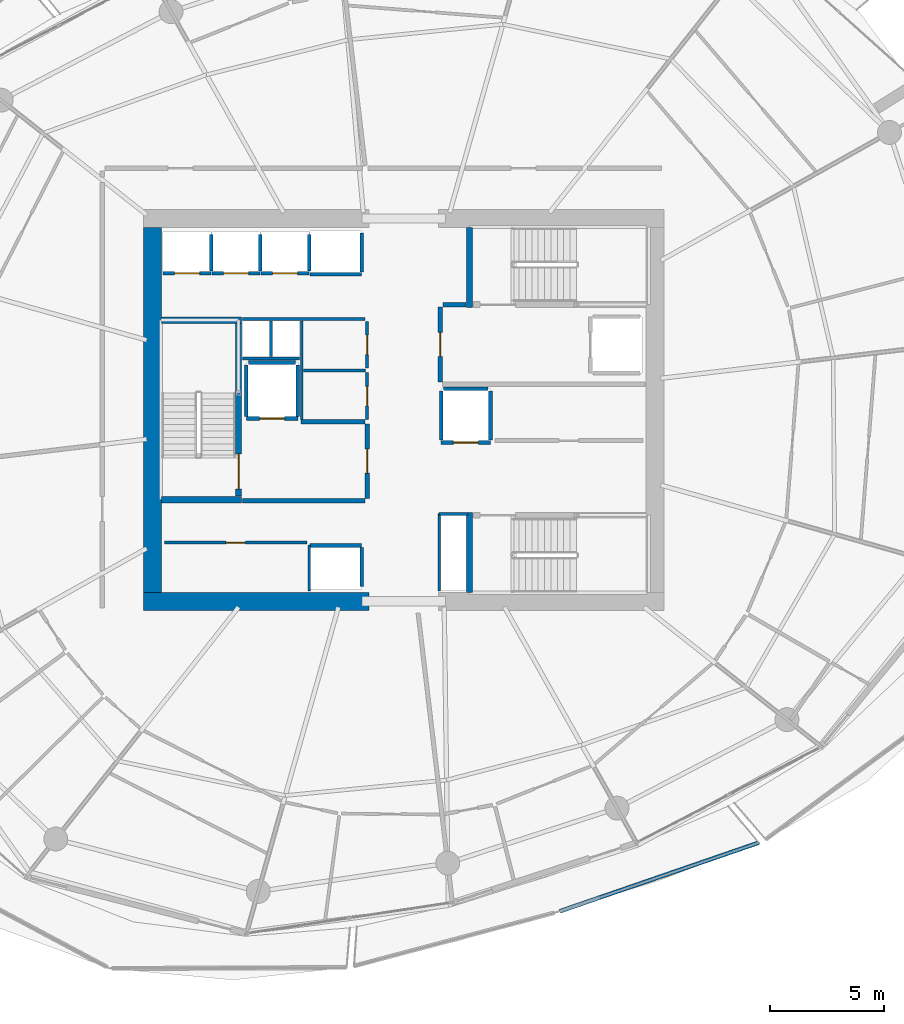
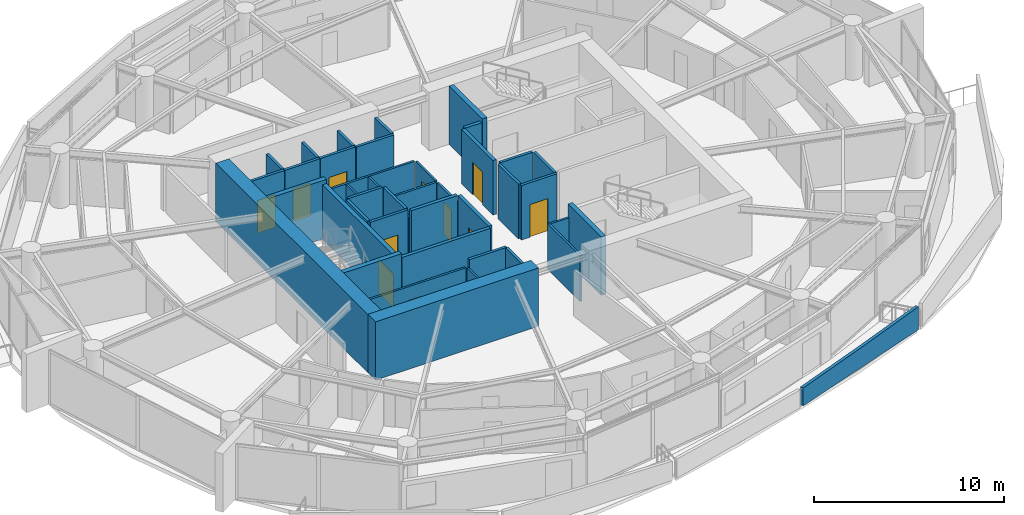
# One storey, part 12 of 20: 42 walls, 11 doors, 11 openings.
"""IFC4 building model written with IfcOpenShell, lengths in metres."""

import ifcopenshell
import ifcopenshell.guid

model = None  # the IFC model being written
_history = None  # IfcOwnerHistory: only IFC2X3 demands one
_inside = {}  # id of a spatial element -> (the spatial element, [elements in it])
_under = {}  # id of a project, library or spatial element -> (it, [spatial elements below it])
_declared = {}  # id of a project -> (the project, [libraries it declares])
_typed = {}  # id of a type object -> (the type object, [elements of that type])
_made_of = {}  # id of a material, layer set ... -> (it, [elements and type objects made of it])


def new_model(schema):
    """Start an empty IFC model of exactly this schema.

    Asked for "IFC4X3", IfcOpenShell would pick the latest addendum, in which some entities
    have other attributes; the version numbers below select the first issue.
    IFC2X3 requires an IfcOwnerHistory on every rooted entity: one is made here for all.
    """
    global model, _history
    if schema == "IFC4X3":
        model = ifcopenshell.file(schema_version=(4, 3, 0, 0))
    else:
        model = ifcopenshell.file(schema=schema)
    _inside.clear()
    _under.clear()
    _declared.clear()
    _typed.clear()
    _made_of.clear()
    _history = None
    if model.schema == "IFC2X3":
        org = make("IfcOrganization", Name="unknown")
        user = make(
            "IfcPersonAndOrganization",
            ThePerson=make("IfcPerson", FamilyName="unknown"),
            TheOrganization=org,
        )
        app = make(
            "IfcApplication",
            ApplicationDeveloper=org,
            Version="unknown",
            ApplicationFullName="unknown",
            ApplicationIdentifier="unknown",
        )
        _history = make(
            "IfcOwnerHistory",
            OwningUser=user,
            OwningApplication=app,
            ChangeAction="ADDED",
            CreationDate=0,
        )
    return model


def make(cls, **values):
    """One entity of the class cls with the attributes given. An attribute that is None is left unset."""
    return model.create_entity(
        cls, **{name: value for name, value in values.items() if value is not None}
    )


def rooted(cls, **values):
    """An entity with a GlobalId (a new one), such as an element, a storey or a relation."""
    return make(cls, GlobalId=ifcopenshell.guid.new(), OwnerHistory=_history, **values)


def si_unit(unit_type, name, prefix=None):
    """IfcSIUnit, for example si_unit("LENGTHUNIT", "METRE", prefix="MILLI")."""
    return make("IfcSIUnit", UnitType=unit_type, Prefix=prefix, Name=name)


def assignment(units):
    """IfcUnitAssignment: the units of a project."""
    return None if units is None else make("IfcUnitAssignment", Units=units)


def point(xyz):
    """IfcCartesianPoint."""
    return None if xyz is None else make("IfcCartesianPoint", Coordinates=xyz)


def direction(xyz):
    """IfcDirection."""
    return None if xyz is None else make("IfcDirection", DirectionRatios=xyz)


def frame(location, z_axis=None, x_axis=None):
    """IfcAxis2Placement3D, a coordinate frame: its origin and axes. An axis left out is left unset."""
    return make(
        "IfcAxis2Placement3D",
        Location=point(location),
        Axis=direction(z_axis),
        RefDirection=direction(x_axis),
    )


def frame_2d(location, x_axis=None):
    """IfcAxis2Placement2D, a coordinate frame in the plane: its origin and x axis."""
    return make(
        "IfcAxis2Placement2D", Location=point(location), RefDirection=direction(x_axis)
    )


def origin():
    """The frame at (0, 0, 0) with its axes left unset."""
    return frame((0.0, 0.0, 0.0))


def place(relative_to, where):
    """IfcLocalPlacement: puts the frame where relative to a parent placement (None: the world)."""
    return make(
        "IfcLocalPlacement", PlacementRelTo=relative_to, RelativePlacement=where
    )


def context(
    kind, dimensions, precision=None, world=None, true_north=None, identifier=None
):
    """IfcGeometricRepresentationContext, for example the 3D "Model" context."""
    return make(
        "IfcGeometricRepresentationContext",
        ContextIdentifier=identifier,
        ContextType=kind,
        CoordinateSpaceDimension=dimensions,
        Precision=precision,
        WorldCoordinateSystem=world,
        TrueNorth=true_north,
    )


def subcontext(parent, identifier, kind, view, scale=None):
    """IfcGeometricRepresentationSubContext, for example "Body" below "Model"."""
    return make(
        "IfcGeometricRepresentationSubContext",
        ContextIdentifier=identifier,
        ContextType=kind,
        ParentContext=parent,
        TargetScale=scale,
        TargetView=view,
    )


def project(units=None, contexts=None):
    """IfcProject with its units and contexts."""
    return rooted(
        "IfcProject",
        Name="project",
        RepresentationContexts=contexts,
        UnitsInContext=assignment(units),
    )


def spatial(cls, under=None, at=None, **own):
    """A site, building, storey or space (cls), placed at a placement, below another one or the project."""
    s = rooted(cls, ObjectPlacement=at, **own)
    if under is not None:
        _under.setdefault(under.id(), (under, []))[1].append(s)
    return s


def polyline(points):
    """IfcPolyline through the points."""
    return make("IfcPolyline", Points=[point(p) for p in points])


def profile(cls, at=None, kind="AREA", **sizes):
    """A parametric profile (cls). Its sizes go by their IFC names, for example OverallWidth=200.0."""
    return make(cls, ProfileType=kind, Position=at, **sizes)


def rectangle(**sizes):
    """IfcRectangleProfileDef."""
    return profile("IfcRectangleProfileDef", **sizes)


def outline(outer, holes=None, kind="AREA"):
    """IfcArbitraryClosedProfileDef: a profile drawn as a closed curve; with holes, ...WithVoids."""
    if holes is None:
        return make("IfcArbitraryClosedProfileDef", ProfileType=kind, OuterCurve=outer)
    return make(
        "IfcArbitraryProfileDefWithVoids",
        ProfileType=kind,
        OuterCurve=outer,
        InnerCurves=holes,
    )


def extrude(swept, where, along, depth):
    """IfcExtrudedAreaSolid: the profile swept, set in the frame where, extruded along a direction by depth."""
    return make(
        "IfcExtrudedAreaSolid",
        SweptArea=swept,
        Position=where,
        ExtrudedDirection=direction(along),
        Depth=depth,
    )


def shape(context_of_items, identifier, shape_type, items):
    """IfcShapeRepresentation: the items that make up one representation, for example the "Body"."""
    return make(
        "IfcShapeRepresentation",
        ContextOfItems=context_of_items,
        RepresentationIdentifier=identifier,
        RepresentationType=shape_type,
        Items=items,
    )


def material(Name=None, Category=None):
    """IfcMaterial."""
    return make("IfcMaterial", Name=Name, Category=Category)


def layer(
    of_material, thickness, ventilated=None, Name=None, Category=None, Priority=None
):
    """IfcMaterialLayer: one layer of a wall or slab, of a material (None: an air gap)."""
    return make(
        "IfcMaterialLayer",
        Material=of_material,
        LayerThickness=thickness,
        IsVentilated=ventilated,
        Name=Name,
        Category=Category,
        Priority=Priority,
    )


def layer_set(layers, Name=None):
    """IfcMaterialLayerSet."""
    return make("IfcMaterialLayerSet", MaterialLayers=layers, LayerSetName=Name)


def made_of(thing, what):
    """Note that an element or type object is made of a material, layer set ...; save() writes the relation."""
    if what is not None:
        _made_of.setdefault(what.id(), (what, []))[1].append(thing)
    return thing


def type_object(cls, material=None, **own):
    """A type object (cls), such as IfcWallType, which elements share."""
    return made_of(rooted(cls, **own), material)


def element(
    cls,
    number,
    at=None,
    inside=None,
    cuts=None,
    type_object=None,
    material=None,
    context=None,
    identifier="Body",
    shape_type=None,
    held_by="IfcProductDefinitionShape",
    body=None,
    shapes=None,
    **own,
):
    """One element of the class cls, such as IfcWall. Its Tag is "e" and its number.

    at: its placement. inside: the storey or other place that contains it. cuts: it is an
    opening in that element (IfcRelVoidsElement). A single representation is given by context,
    identifier, shape_type and body (its items); several are given by shapes. held_by: the class
    of the entity that holds the representations. save() writes the other relations.
    """
    e = rooted(cls, Tag="e%d" % number, ObjectPlacement=at, **own)
    if body is not None:
        shapes = [shape(context, identifier, shape_type, body)]
    if shapes is not None:
        e.Representation = make(held_by, Representations=shapes)
    if inside is not None:
        _inside.setdefault(inside.id(), (inside, []))[1].append(e)
    if cuts is not None:
        rooted(
            "IfcRelVoidsElement", RelatingBuildingElement=cuts, RelatedOpeningElement=e
        )
    if type_object is not None:
        _typed.setdefault(type_object.id(), (type_object, []))[1].append(e)
    return made_of(e, material)


def fill(opening, filler):
    """IfcRelFillsElement: the door or window that sits in an opening."""
    return rooted(
        "IfcRelFillsElement",
        RelatingOpeningElement=opening,
        RelatedBuildingElement=filler,
    )


def aggregate(whole, parts):
    """IfcRelAggregates: a whole, such as a stair, and the parts it consists of."""
    return rooted("IfcRelAggregates", RelatingObject=whole, RelatedObjects=parts)


def save(model, path):
    """Write the relations noted so far, then the file.

    IfcRelAggregates (storeys below a building ...), IfcRelContainedInSpatialStructure (elements
    in a storey), IfcRelDefinesByType, IfcRelAssociatesMaterial and IfcRelDeclares: one each for
    every whole, place, type object, material and project.
    """
    for whole, parts in _under.values():
        aggregate(whole, parts)
    for where, things in _inside.values():
        rooted(
            "IfcRelContainedInSpatialStructure",
            RelatedElements=things,
            RelatingStructure=where,
        )
    for kind, things in _typed.values():
        rooted("IfcRelDefinesByType", RelatedObjects=things, RelatingType=kind)
    for what, things in _made_of.values():
        rooted("IfcRelAssociatesMaterial", RelatedObjects=things, RelatingMaterial=what)
    for by, libraries in _declared.values():
        rooted("IfcRelDeclares", RelatingContext=by, RelatedDefinitions=libraries)
    model.write(path)


model = new_model("IFC4")

# Units and contexts
model_context = context("Model", 3, precision=1e-05, world=origin(), true_north=direction((0.0, 1.0)))
body_context = subcontext(model_context, "Body", "Model", "MODEL_VIEW")
ifc_project = project(units=[si_unit("LENGTHUNIT", "METRE"), si_unit("AREAUNIT", "SQUARE_METRE"), si_unit("VOLUMEUNIT", "CUBIC_METRE"), si_unit("PLANEANGLEUNIT", "RADIAN"), si_unit("MASSUNIT", "GRAM", prefix="KILO")], contexts=[model_context])

# Site, building, storey
site_placement = place(None, origin())
site = spatial("IfcSite", under=ifc_project, at=site_placement, CompositionType="ELEMENT")
building_placement = place(site_placement, origin())
building = spatial("IfcBuilding", under=site, at=building_placement, Name="Kazma Halo Residences", CompositionType="ELEMENT")
storey_placement = place(building_placement, frame((0.0, 0.0, 154.050048828125)))
storey = spatial("IfcBuildingStorey", under=building, at=storey_placement, Name="L38", CompositionType="ELEMENT", Elevation=154.050048828125)

# Walls
ifc_material_1 = material(Name="White Concrete C50/60 Balustrade", Category="concrete")
ifc_layer_1 = layer(ifc_material_1, 0.179931640625)
ifc_layer_set_1 = layer_set([ifc_layer_1], Name="White Concrete C50/60 Balustrade")
wall_type_1 = type_object("IfcWallType", Name="WL-BAL-WAVE-180", PredefinedType="PARAPET", material=ifc_layer_set_1)
wall_1_placement = place(storey_placement, frame((55.2724609375, 20.005859375, 0.0), z_axis=(0.0, 0.0, 1.0), x_axis=(0.945395712623, 0.325924755971, 0.0)))
element("IfcWall", 1, at=wall_1_placement, inside=storey, type_object=wall_type_1, Name="L38 white wave balustrade wall SSE.2", PredefinedType="PARAPET", context=body_context, shape_type="SweptSolid", body=[
    extrude(outline(polyline([(0.0, 0.0), (9.244384765625, 0.0), (9.244384765625, 1.48291015625), (4.622314453125, 1.283935546875), (0.0, 1.14794921875), (0.0, 0.0)])), frame((0.0, 0.08984375, 0.0), z_axis=(0.0, -1.0, 0.0), x_axis=(1.0, 0.0, 0.0)), (0.0, 0.0, 1.0), 0.179931640625),
])
ifc_material_2 = material(Name="Concrete C80/95", Category="concrete")
ifc_layer_2 = layer(ifc_material_2, 0.800048828125)
ifc_layer_set_2 = layer_set([ifc_layer_2], Name="Concrete C80/95")
wall_type_2 = type_object("IfcWallType", Name="WL-CORE-800", PredefinedType="SHEAR", material=ifc_layer_set_2)
wall_2_placement = place(storey_placement, frame((37.0, 33.60009765625, 0.0), z_axis=(0.0, 0.0, 1.0), x_axis=(1.0, 0.0, 0.0)))
element("IfcWall", 2, at=wall_2_placement, inside=storey, type_object=wall_type_2, Name="L38 central core shear wall SW", PredefinedType="SHEAR", context=body_context, shape_type="SweptSolid", body=[
    extrude(rectangle(XDim=9.89990234375, YDim=0.800048828125, at=frame_2d((4.949951171875, 0.0))), origin(), (0.0, 0.0, 1.0), 3.75),
])
wall_3_placement = place(storey_placement, frame((37.39990234375, 34.0, 0.0), z_axis=(0.0, 0.0, 1.0), x_axis=(0.0, 1.0, 0.0)))
element("IfcWall", 3, at=wall_3_placement, inside=storey, type_object=wall_type_2, Name="L38 central core shear wall W", PredefinedType="SHEAR", context=body_context, shape_type="SweptSolid", body=[
    extrude(rectangle(XDim=16.0, YDim=0.800048828125, at=frame_2d((8.0, 0.0))), origin(), (0.0, 0.0, 1.0), 3.75),
])
ifc_material_3 = material(Name="Concrete C60/75", Category="concrete")
ifc_layer_3 = layer(ifc_material_3, 0.280029296875)
ifc_layer_set_3 = layer_set([ifc_layer_3], Name="Concrete C60/75")
wall_type_3 = type_object("IfcWallType", Name="WL-CORE-ST-280", PredefinedType="SHEAR", material=ifc_layer_set_3)
for number, where, z_axis, x_axis, name in (
    (4, (37.800048828125, 38.06005859375, 0.0), (0.0, 0.0, 1.0), (1.0, 0.0, 0.0), "L38 stairwell bearing wall ST01-S"),
    (5, (37.800048828125, 45.93994140625, 0.0), (0.0, 0.0, 1.0), (1.0, 0.0, 0.0), "L38 stairwell bearing wall ST01-N"),
    (6, (51.31005859375, 46.5, 0.0), (0.0, 0.0, 1.0), (0.0, 1.0, 0.0), "L38 stairwell bearing wall ST02-W"),
    (7, (51.31005859375, 34.0, 0.0), (0.0, 0.0, 1.0), (0.0, 1.0, 0.0), "L38 stairwell bearing wall ST03-W"),
):
    element("IfcWall", number, at=place(storey_placement, frame(where, z_axis=z_axis, x_axis=x_axis)), inside=storey, type_object=wall_type_3, Name=name, PredefinedType="SHEAR", context=body_context, shape_type="SweptSolid", body=[
        extrude(rectangle(XDim=3.5, YDim=0.280029296875, at=frame_2d((1.75, 0.0))), origin(), (0.0, 0.0, 1.0), 3.75),
    ])

# Wall, opening, door
ifc_material_4 = material(Name="Fire-Rated Blockwork Masonry", Category="masonry")
ifc_layer_4 = layer(ifc_material_4, 0.199951171875)
ifc_layer_set_4 = layer_set([ifc_layer_4], Name="Fire-Rated Blockwork Masonry")
wall_type_4 = type_object("IfcWallType", Name="WL-FLB-200", PredefinedType="PARTITIONING", material=ifc_layer_set_4)
wall_4_placement = place(storey_placement, frame((39.97509765625, 47.9951171875, 0.0), z_axis=(0.0, 0.0, 1.0), x_axis=(-1.0, 0.0, 0.0)))
wall_4 = element("IfcWall", 8, at=wall_4_placement, inside=storey, type_object=wall_type_4, Name="L38 lift shaft PM-01 front wall", PredefinedType="PARTITIONING", context=body_context, shape_type="SweptSolid", body=[
    extrude(rectangle(XDim=2.110107421875, YDim=0.159912109375, at=frame_2d((1.05517578125, 0.0))), origin(), (0.0, 0.0, 1.0), 3.5),
])
opening_1_placement = place(wall_4_placement, frame((0.5048828125, 0.0, 0.0)))
opening_1 = element("IfcOpeningElement", 9, at=opening_1_placement, cuts=wall_4, Name="Opening LD-PM-01", PredefinedType="OPENING", context=body_context, shape_type="SweptSolid", body=[
    extrude(rectangle(XDim=1.10009765625, YDim=2.10009765625, at=frame_2d((0.550048828125, 1.050048828125))), frame((0.0, 0.08984375, 0.0), z_axis=(0.0, -1.0, 0.0), x_axis=(1.0, 0.0, 0.0)), (0.0, 0.0, 1.0), 0.179931640625),
])
ifc_material_5 = material(Name="Stainless Steel Fire-Rated", Category="steel")
door_type_1 = type_object("IfcDoorType", Name="DR-LIFT-SLD-1100", OperationType="DOUBLE_DOOR_SLIDING", PredefinedType="DOOR", material=ifc_material_5)
door_1_placement = place(opening_1_placement, origin())
door_1 = element("IfcDoor", 10, at=door_1_placement, inside=storey, type_object=door_type_1, Name="L38 lift PM-01 sliding landing door", OperationType="DOUBLE_DOOR_SLIDING", OverallHeight=2.10009765625, OverallWidth=1.10009765625, PredefinedType="DOOR", context=body_context, shape_type="SweptSolid", body=[
    extrude(rectangle(XDim=1.10009765625, YDim=2.10009765625, at=frame_2d((0.550048828125, 1.050048828125))), frame((0.0, 0.02490234375, 0.0), z_axis=(0.0, -1.0, 0.0), x_axis=(1.0, 0.0, 0.0)), (0.0, 0.0, 1.0), 0.050048828125),
])
fill(opening_1, door_1)

# Wall
wall_5_placement = place(storey_placement, frame((39.97509765625, 48.094970703125, 0.0), z_axis=(0.0, 0.0, 1.0), x_axis=(0.0, 1.0, 0.0)))
element("IfcWall", 11, at=wall_5_placement, inside=storey, type_object=wall_type_4, Name="L38 lift shaft PM-01 side wall E", PredefinedType="PARTITIONING", context=body_context, shape_type="SweptSolid", body=[
    extrude(rectangle(XDim=1.610107421875, YDim=0.159912109375, at=frame_2d((0.80517578125, 0.0))), origin(), (0.0, 0.0, 1.0), 3.5),
])

# Wall, opening, door
wall_6_placement = place(storey_placement, frame((42.125, 47.9951171875, 0.0), z_axis=(0.0, 0.0, 1.0), x_axis=(-1.0, 0.0, 0.0)))
wall_6 = element("IfcWall", 12, at=wall_6_placement, inside=storey, type_object=wall_type_4, Name="L38 lift shaft PM-02 front wall", PredefinedType="PARTITIONING", context=body_context, shape_type="SweptSolid", body=[
    extrude(rectangle(XDim=2.110107421875, YDim=0.159912109375, at=frame_2d((1.05517578125, 0.0))), origin(), (0.0, 0.0, 1.0), 3.5),
])
opening_2_placement = place(wall_6_placement, frame((0.5048828125, 0.0, 0.0)))
opening_2 = element("IfcOpeningElement", 13, at=opening_2_placement, cuts=wall_6, Name="Opening LD-PM-02", PredefinedType="OPENING", context=body_context, shape_type="SweptSolid", body=[
    extrude(rectangle(XDim=1.10009765625, YDim=2.10009765625, at=frame_2d((0.550048828125, 1.050048828125))), frame((0.0, 0.08984375, 0.0), z_axis=(0.0, -1.0, 0.0), x_axis=(1.0, 0.0, 0.0)), (0.0, 0.0, 1.0), 0.179931640625),
])
door_2_placement = place(opening_2_placement, origin())
door_2 = element("IfcDoor", 14, at=door_2_placement, inside=storey, type_object=door_type_1, Name="L38 lift PM-02 sliding landing door", OperationType="DOUBLE_DOOR_SLIDING", OverallHeight=2.10009765625, OverallWidth=1.10009765625, PredefinedType="DOOR", context=body_context, shape_type="SweptSolid", body=[
    extrude(rectangle(XDim=1.10009765625, YDim=2.10009765625, at=frame_2d((0.550048828125, 1.050048828125))), frame((0.0, 0.02490234375, 0.0), z_axis=(0.0, -1.0, 0.0), x_axis=(1.0, 0.0, 0.0)), (0.0, 0.0, 1.0), 0.050048828125),
])
fill(opening_2, door_2)

# Wall
wall_7_placement = place(storey_placement, frame((42.125, 48.094970703125, 0.0), z_axis=(0.0, 0.0, 1.0), x_axis=(0.0, 1.0, 0.0)))
element("IfcWall", 15, at=wall_7_placement, inside=storey, type_object=wall_type_4, Name="L38 lift shaft PM-02 side wall E", PredefinedType="PARTITIONING", context=body_context, shape_type="SweptSolid", body=[
    extrude(rectangle(XDim=1.610107421875, YDim=0.159912109375, at=frame_2d((0.80517578125, 0.0))), origin(), (0.0, 0.0, 1.0), 3.5),
])

# Wall, opening, door
wall_8_placement = place(storey_placement, frame((44.27490234375, 47.9951171875, 0.0), z_axis=(0.0, 0.0, 1.0), x_axis=(-1.0, 0.0, 0.0)))
wall_8 = element("IfcWall", 16, at=wall_8_placement, inside=storey, type_object=wall_type_4, Name="L38 lift shaft PM-03 front wall", PredefinedType="PARTITIONING", context=body_context, shape_type="SweptSolid", body=[
    extrude(rectangle(XDim=2.10986328125, YDim=0.159912109375, at=frame_2d((1.054931640625, 0.0))), origin(), (0.0, 0.0, 1.0), 3.5),
])
opening_3_placement = place(wall_8_placement, frame((0.5048828125, 0.0, 0.0)))
opening_3 = element("IfcOpeningElement", 17, at=opening_3_placement, cuts=wall_8, Name="Opening LD-PM-03", PredefinedType="OPENING", context=body_context, shape_type="SweptSolid", body=[
    extrude(rectangle(XDim=1.10009765625, YDim=2.10009765625, at=frame_2d((0.550048828125, 1.050048828125))), frame((0.0, 0.08984375, 0.0), z_axis=(0.0, -1.0, 0.0), x_axis=(1.0, 0.0, 0.0)), (0.0, 0.0, 1.0), 0.179931640625),
])
door_3_placement = place(opening_3_placement, origin())
door_3 = element("IfcDoor", 18, at=door_3_placement, inside=storey, type_object=door_type_1, Name="L38 lift PM-03 sliding landing door", OperationType="DOUBLE_DOOR_SLIDING", OverallHeight=2.10009765625, OverallWidth=1.10009765625, PredefinedType="DOOR", context=body_context, shape_type="SweptSolid", body=[
    extrude(rectangle(XDim=1.10009765625, YDim=2.10009765625, at=frame_2d((0.550048828125, 1.050048828125))), frame((0.0, 0.02490234375, 0.0), z_axis=(0.0, -1.0, 0.0), x_axis=(1.0, 0.0, 0.0)), (0.0, 0.0, 1.0), 0.050048828125),
])
fill(opening_3, door_3)

# Walls
wall_9_placement = place(storey_placement, frame((44.27490234375, 48.094970703125, 0.0), z_axis=(0.0, 0.0, 1.0), x_axis=(0.0, 1.0, 0.0)))
element("IfcWall", 19, at=wall_9_placement, inside=storey, type_object=wall_type_4, Name="L38 lift shaft PM-03 side wall E", PredefinedType="PARTITIONING", context=body_context, shape_type="SweptSolid", body=[
    extrude(rectangle(XDim=1.610107421875, YDim=0.159912109375, at=frame_2d((0.80517578125, 0.0))), origin(), (0.0, 0.0, 1.0), 3.5),
])
wall_10_placement = place(storey_placement, frame((46.580078125, 47.945068359375, 0.0), z_axis=(0.0, 0.0, 1.0), x_axis=(-1.0, 0.0, 0.0)))
element("IfcWall", 20, at=wall_10_placement, inside=storey, type_object=wall_type_4, Name="L38 lift shaft PX-01 front wall", PredefinedType="PARTITIONING", context=body_context, shape_type="SweptSolid", body=[
    extrude(rectangle(XDim=2.260009765625, YDim=0.159912109375, at=frame_2d((1.1298828125, 0.0))), origin(), (0.0, 0.0, 1.0), 3.5),
])
wall_11_placement = place(storey_placement, frame((46.580078125, 48.044921875, 0.0), z_axis=(0.0, 0.0, 1.0), x_axis=(0.0, 1.0, 0.0)))
element("IfcWall", 21, at=wall_11_placement, inside=storey, type_object=wall_type_4, Name="L38 lift shaft PX-01 side wall E", PredefinedType="PARTITIONING", context=body_context, shape_type="SweptSolid", body=[
    extrude(rectangle(XDim=1.7099609375, YDim=0.159912109375, at=frame_2d((0.85498046875, 0.0))), origin(), (0.0, 0.0, 1.0), 3.5),
])
wall_12_placement = place(storey_placement, frame((44.320068359375, 36.054931640625, 0.0), z_axis=(0.0, 0.0, 1.0), x_axis=(1.0, 0.0, 0.0)))
element("IfcWall", 22, at=wall_12_placement, inside=storey, type_object=wall_type_4, Name="L38 lift shaft PX-02 front wall", PredefinedType="PARTITIONING", context=body_context, shape_type="SweptSolid", body=[
    extrude(rectangle(XDim=2.260009765625, YDim=0.159912109375, at=frame_2d((1.1298828125, 0.0))), origin(), (0.0, 0.0, 1.0), 3.5),
])
wall_13_placement = place(storey_placement, frame((46.580078125, 34.2451171875, 0.0), z_axis=(0.0, 0.0, 1.0), x_axis=(0.0, 1.0, 0.0)))
element("IfcWall", 23, at=wall_13_placement, inside=storey, type_object=wall_type_4, Name="L38 lift shaft PX-02 side wall E", PredefinedType="PARTITIONING", context=body_context, shape_type="SweptSolid", body=[
    extrude(rectangle(XDim=1.7099609375, YDim=0.159912109375, at=frame_2d((0.85498046875, 0.0))), origin(), (0.0, 0.0, 1.0), 3.5),
])

# Wall, opening, door
wall_14_placement = place(storey_placement, frame((43.780029296875, 41.6201171875, 0.0), z_axis=(0.0, 0.0, 1.0), x_axis=(-1.0, 0.0, 0.0)))
wall_14 = element("IfcWall", 24, at=wall_14_placement, inside=storey, type_object=wall_type_4, Name="L38 lift shaft FL-01 front wall", PredefinedType="PARTITIONING", context=body_context, shape_type="SweptSolid", body=[
    extrude(rectangle(XDim=2.260009765625, YDim=0.159912109375, at=frame_2d((1.1298828125, 0.0))), origin(), (0.0, 0.0, 1.0), 3.5),
])
opening_4_placement = place(wall_14_placement, frame((0.580078125, 0.0, 0.0)))
opening_4 = element("IfcOpeningElement", 25, at=opening_4_placement, cuts=wall_14, Name="Opening LD-FL-01", PredefinedType="OPENING", context=body_context, shape_type="SweptSolid", body=[
    extrude(rectangle(XDim=1.10009765625, YDim=2.10009765625, at=frame_2d((0.550048828125, 1.050048828125))), frame((0.0, 0.08984375, 0.0), z_axis=(0.0, -1.0, 0.0), x_axis=(1.0, 0.0, 0.0)), (0.0, 0.0, 1.0), 0.179931640625),
])
door_4_placement = place(opening_4_placement, origin())
door_4 = element("IfcDoor", 26, at=door_4_placement, inside=storey, type_object=door_type_1, Name="L38 lift FL-01 sliding landing door", OperationType="DOUBLE_DOOR_SLIDING", OverallHeight=2.10009765625, OverallWidth=1.10009765625, PredefinedType="DOOR", context=body_context, shape_type="SweptSolid", body=[
    extrude(rectangle(XDim=1.10009765625, YDim=2.10009765625, at=frame_2d((0.550048828125, 1.050048828125))), frame((0.0, 0.02490234375, 0.0), z_axis=(0.0, -1.0, 0.0), x_axis=(1.0, 0.0, 0.0)), (0.0, 0.0, 1.0), 0.050048828125),
])
fill(opening_4, door_4)

# Walls
for number, where, z_axis, x_axis, name in (
    (27, (43.780029296875, 41.719970703125, 0.0), (0.0, 0.0, 1.0), (0.0, 1.0, 0.0), "L38 lift shaft FL-01 side wall E"),
    (28, (41.52001953125, 41.719970703125, 0.0), (0.0, 0.0, 1.0), (0.0, 1.0, 0.0), "L38 lift shaft FL-01 side wall W"),
):
    element("IfcWall", number, at=place(storey_placement, frame(where, z_axis=z_axis, x_axis=x_axis)), inside=storey, type_object=wall_type_4, Name=name, PredefinedType="PARTITIONING", context=body_context, shape_type="SweptSolid", body=[
        extrude(rectangle(XDim=2.260009765625, YDim=0.159912109375, at=frame_2d((1.1298828125, 0.0))), origin(), (0.0, 0.0, 1.0), 3.5),
    ])
wall_15_placement = place(storey_placement, frame((41.6201171875, 44.080078125, 0.0), z_axis=(0.0, 0.0, 1.0), x_axis=(1.0, 0.0, 0.0)))
element("IfcWall", 29, at=wall_15_placement, inside=storey, type_object=wall_type_4, Name="L38 lift shaft FL-01 side wall N", PredefinedType="PARTITIONING", context=body_context, shape_type="SweptSolid", body=[
    extrude(rectangle(XDim=2.059814453125, YDim=0.159912109375, at=frame_2d((1.02978515625, 0.0))), origin(), (0.0, 0.0, 1.0), 3.5),
])

# Wall, opening, door
wall_16_placement = place(storey_placement, frame((52.22998046875, 40.570068359375, 0.0), z_axis=(0.0, 0.0, 1.0), x_axis=(-1.0, 0.0, 0.0)))
wall_16 = element("IfcWall", 30, at=wall_16_placement, inside=storey, type_object=wall_type_4, Name="L38 lift shaft SV-01 front wall", PredefinedType="PARTITIONING", context=body_context, shape_type="SweptSolid", body=[
    extrude(rectangle(XDim=2.159912109375, YDim=0.159912109375, at=frame_2d((1.080078125, 0.0))), origin(), (0.0, 0.0, 1.0), 3.5),
])
opening_5_placement = place(wall_16_placement, frame((0.530029296875, 0.0, 0.0)))
opening_5 = element("IfcOpeningElement", 31, at=opening_5_placement, cuts=wall_16, Name="Opening LD-SV-01", PredefinedType="OPENING", context=body_context, shape_type="SweptSolid", body=[
    extrude(rectangle(XDim=1.10009765625, YDim=2.10009765625, at=frame_2d((0.550048828125, 1.050048828125))), frame((0.0, 0.08984375, 0.0), z_axis=(0.0, -1.0, 0.0), x_axis=(1.0, 0.0, 0.0)), (0.0, 0.0, 1.0), 0.179931640625),
])
door_5_placement = place(opening_5_placement, origin())
door_5 = element("IfcDoor", 32, at=door_5_placement, inside=storey, type_object=door_type_1, Name="L38 lift SV-01 sliding landing door", OperationType="DOUBLE_DOOR_SLIDING", OverallHeight=2.10009765625, OverallWidth=1.10009765625, PredefinedType="DOOR", context=body_context, shape_type="SweptSolid", body=[
    extrude(rectangle(XDim=1.10009765625, YDim=2.10009765625, at=frame_2d((0.550048828125, 1.050048828125))), frame((0.0, 0.02490234375, 0.0), z_axis=(0.0, -1.0, 0.0), x_axis=(1.0, 0.0, 0.0)), (0.0, 0.0, 1.0), 0.050048828125),
])
fill(opening_5, door_5)

# Walls
for number, where, z_axis, x_axis, name in (
    (33, (52.22998046875, 40.669921875, 0.0), (0.0, 0.0, 1.0), (0.0, 1.0, 0.0), "L38 lift shaft SV-01 side wall E"),
    (34, (50.070068359375, 40.669921875, 0.0), (0.0, 0.0, 1.0), (0.0, 1.0, 0.0), "L38 lift shaft SV-01 side wall W"),
):
    element("IfcWall", number, at=place(storey_placement, frame(where, z_axis=z_axis, x_axis=x_axis)), inside=storey, type_object=wall_type_4, Name=name, PredefinedType="PARTITIONING", context=body_context, shape_type="SweptSolid", body=[
        extrude(rectangle(XDim=2.16015625, YDim=0.159912109375, at=frame_2d((1.080078125, 0.0))), origin(), (0.0, 0.0, 1.0), 3.5),
    ])
wall_17_placement = place(storey_placement, frame((50.169921875, 42.929931640625, 0.0), z_axis=(0.0, 0.0, 1.0), x_axis=(1.0, 0.0, 0.0)))
element("IfcWall", 35, at=wall_17_placement, inside=storey, type_object=wall_type_4, Name="L38 lift shaft SV-01 side wall N", PredefinedType="PARTITIONING", context=body_context, shape_type="SweptSolid", body=[
    extrude(rectangle(XDim=1.9599609375, YDim=0.159912109375, at=frame_2d((0.97998046875, 0.0))), origin(), (0.0, 0.0, 1.0), 3.5),
])
wall_18_placement = place(storey_placement, frame((41.35009765625, 38.02001953125, 0.0), z_axis=(0.0, 0.0, 1.0), x_axis=(1.0, 0.0, 0.0)))
element("IfcWall", 36, at=wall_18_placement, inside=storey, type_object=wall_type_4, Name="L38 west firefighting lobby south smoke wall", PredefinedType="PARTITIONING", context=body_context, shape_type="SweptSolid", body=[
    extrude(rectangle(XDim=5.369873046875, YDim=0.199951171875, at=frame_2d((2.68505859375, 0.0))), origin(), (0.0, 0.0, 1.0), 3.5),
])
wall_19_placement = place(storey_placement, frame((43.919921875, 41.47998046875, 0.0), z_axis=(0.0, 0.0, 1.0), x_axis=(1.0, 0.0, 0.0)))
element("IfcWall", 37, at=wall_19_placement, inside=storey, type_object=wall_type_4, Name="L38 west firefighting lobby north smoke wall", PredefinedType="PARTITIONING", context=body_context, shape_type="SweptSolid", body=[
    extrude(rectangle(XDim=2.800048828125, YDim=0.199951171875, at=frame_2d((1.39990234375, 0.0))), origin(), (0.0, 0.0, 1.0), 3.5),
])

# Wall, opening, door
wall_20_placement = place(storey_placement, frame((46.820068359375, 38.1201171875, 0.0), z_axis=(0.0, 0.0, 1.0), x_axis=(0.0, 1.0, 0.0)))
wall_20 = element("IfcWall", 38, at=wall_20_placement, inside=storey, type_object=wall_type_4, Name="L38 west firefighting lobby smoke wall", PredefinedType="PARTITIONING", context=body_context, shape_type="SweptSolid", body=[
    extrude(rectangle(XDim=3.259765625, YDim=0.199951171875, at=frame_2d((1.6298828125, 0.0))), origin(), (0.0, 0.0, 1.0), 3.5),
])
opening_6_placement = place(wall_20_placement, frame((1.10498046875, 0.0, 0.0)))
opening_6 = element("IfcOpeningElement", 39, at=opening_6_placement, cuts=wall_20, Name="Opening D-FLW", PredefinedType="OPENING", context=body_context, shape_type="SweptSolid", body=[
    extrude(rectangle(XDim=1.050048828125, YDim=2.10009765625, at=frame_2d((0.52490234375, 1.050048828125))), frame((0.0, 0.10986328125, 0.0), z_axis=(0.0, -1.0, 0.0), x_axis=(1.0, 0.0, 0.0)), (0.0, 0.0, 1.0), 0.219970703125),
])
ifc_material_6 = material(Name="Fire-Rated Steel Leaf", Category="steel")
door_type_2 = type_object("IfcDoorType", Name="DR-FD90-1050", OperationType="NOTDEFINED", PredefinedType="DOOR", material=ifc_material_6)
door_6_placement = place(opening_6_placement, origin())
door_6 = element("IfcDoor", 40, at=door_6_placement, inside=storey, type_object=door_type_2, Name="L38 west firefighting lobby smoke door", OperationType="SINGLE_SWING_LEFT", OverallHeight=2.10009765625, OverallWidth=1.050048828125, PredefinedType="DOOR", context=body_context, shape_type="SweptSolid", body=[
    extrude(rectangle(XDim=1.050048828125, YDim=2.10009765625, at=frame_2d((0.52490234375, 1.050048828125))), frame((0.0, 0.02490234375, 0.0), z_axis=(0.0, -1.0, 0.0), x_axis=(1.0, 0.0, 0.0)), (0.0, 0.0, 1.0), 0.050048828125),
])
fill(opening_6, door_6)

# Wall
wall_21_placement = place(storey_placement, frame((50.139892578125, 46.6201171875, 0.0), z_axis=(0.0, 0.0, 1.0), x_axis=(1.0, 0.0, 0.0)))
element("IfcWall", 41, at=wall_21_placement, inside=storey, type_object=wall_type_4, Name="L38 east firefighting lobby north closure wall", PredefinedType="PARTITIONING", context=body_context, shape_type="SweptSolid", body=[
    extrude(rectangle(XDim=1.02001953125, YDim=0.199951171875, at=frame_2d((0.510009765625, 0.0))), origin(), (0.0, 0.0, 1.0), 3.5),
])

# Wall, opening, door
wall_22_placement = place(storey_placement, frame((50.02001953125, 43.219970703125, 0.0), z_axis=(0.0, 0.0, 1.0), x_axis=(0.0, 1.0, 0.0)))
wall_22 = element("IfcWall", 42, at=wall_22_placement, inside=storey, type_object=wall_type_4, Name="L38 east firefighting lobby smoke wall", PredefinedType="PARTITIONING", context=body_context, shape_type="SweptSolid", body=[
    extrude(rectangle(XDim=3.300048828125, YDim=0.199951171875, at=frame_2d((1.64990234375, 0.0))), origin(), (0.0, 0.0, 1.0), 3.5),
])
opening_7_placement = place(wall_22_placement, frame((1.125, 0.0, 0.0)))
opening_7 = element("IfcOpeningElement", 43, at=opening_7_placement, cuts=wall_22, Name="Opening D-FLE", PredefinedType="OPENING", context=body_context, shape_type="SweptSolid", body=[
    extrude(rectangle(XDim=1.050048828125, YDim=2.10009765625, at=frame_2d((0.52490234375, 1.050048828125))), frame((0.0, 0.10986328125, 0.0), z_axis=(0.0, -1.0, 0.0), x_axis=(1.0, 0.0, 0.0)), (0.0, 0.0, 1.0), 0.219970703125),
])
door_7_placement = place(opening_7_placement, origin())
door_7 = element("IfcDoor", 44, at=door_7_placement, inside=storey, type_object=door_type_2, Name="L38 east firefighting lobby smoke door", OperationType="SINGLE_SWING_RIGHT", OverallHeight=2.10009765625, OverallWidth=1.050048828125, PredefinedType="DOOR", context=body_context, shape_type="SweptSolid", body=[
    extrude(rectangle(XDim=1.050048828125, YDim=2.10009765625, at=frame_2d((0.52490234375, 1.050048828125))), frame((0.0, 0.02490234375, 0.0), z_axis=(0.0, -1.0, 0.0), x_axis=(1.0, 0.0, 0.0)), (0.0, 0.0, 1.0), 0.050048828125),
])
fill(opening_7, door_7)

# Wall
ifc_material_7 = material(Name="Gypsum Plasterboard Partition")
ifc_layer_5 = layer(ifc_material_7, 0.125)
ifc_layer_set_5 = layer_set([ifc_layer_5], Name="Gypsum Plasterboard Partition")
wall_type_5 = type_object("IfcWallType", Name="WL-PART-125", PredefinedType="PARTITIONING", material=ifc_layer_set_5)
wall_23_placement = place(storey_placement, frame((44.280029296875, 34.050048828125, 0.0), z_axis=(0.0, 0.0, 1.0), x_axis=(0.0, 1.0, 0.0)))
element("IfcWall", 45, at=wall_23_placement, inside=storey, type_object=wall_type_5, Name="L38 reclaimed south east wall", PredefinedType="PARTITIONING", context=body_context, shape_type="SweptSolid", body=[
    extrude(rectangle(XDim=2.030029296875, YDim=0.125, at=frame_2d((1.01513671875, 0.0))), origin(), (0.0, 0.0, 1.0), 2.93994140625),
])

# Wall, opening, door
wall_24_placement = place(storey_placement, frame((37.919921875, 36.179931640625, 0.0), z_axis=(0.0, 0.0, 1.0), x_axis=(1.0, 0.0, 0.0)))
wall_24 = element("IfcWall", 46, at=wall_24_placement, inside=storey, type_object=wall_type_5, Name="L38 reclaimed south front wall", PredefinedType="PARTITIONING", context=body_context, shape_type="SweptSolid", body=[
    extrude(rectangle(XDim=6.260009765625, YDim=0.125, at=frame_2d((3.1298828125, 0.0))), origin(), (0.0, 0.0, 1.0), 2.93994140625),
])
opening_8_placement = place(wall_24_placement, frame((2.705078125, 0.0, 0.0)))
opening_8 = element("IfcOpeningElement", 47, at=opening_8_placement, cuts=wall_24, Name="Opening DS-850", PredefinedType="OPENING", context=body_context, shape_type="SweptSolid", body=[
    extrude(rectangle(XDim=0.85009765625, YDim=2.06005859375, at=frame_2d((0.425048828125, 1.030029296875))), frame((0.0, 0.072509765625, 0.0), z_axis=(0.0, -1.0, 0.0), x_axis=(1.0, 0.0, 0.0)), (0.0, 0.0, 1.0), 0.14501953125),
])
ifc_material_8 = material(Name="Painted Steel Access Leaf", Category="steel")
door_type_3 = type_object("IfcDoorType", Name="DR-SVC-850", OperationType="NOTDEFINED", PredefinedType="DOOR", material=ifc_material_8)
door_8_placement = place(opening_8_placement, origin())
door_8 = element("IfcDoor", 48, at=door_8_placement, inside=storey, type_object=door_type_3, Name="L38 reclaimed south service door", OperationType="SINGLE_SWING_LEFT", OverallHeight=2.06005859375, OverallWidth=0.85009765625, PredefinedType="DOOR", context=body_context, shape_type="SweptSolid", body=[
    extrude(rectangle(XDim=0.85009765625, YDim=2.06005859375, at=frame_2d((0.425048828125, 1.030029296875))), frame((0.0, 0.02490234375, 0.0), z_axis=(0.0, -1.0, 0.0), x_axis=(1.0, 0.0, 0.0)), (0.0, 0.0, 1.0), 0.050048828125),
])
fill(opening_8, door_8)

# Walls
wall_25_placement = place(storey_placement, frame((41.360107421875, 45.97998046875, 0.0), z_axis=(0.0, 0.0, 1.0), x_axis=(1.0, 0.0, 0.0)))
element("IfcWall", 49, at=wall_25_placement, inside=storey, type_object=wall_type_5, Name="L38 core north riser wall", PredefinedType="PARTITIONING", context=body_context, shape_type="SweptSolid", body=[
    extrude(rectangle(XDim=5.35986328125, YDim=0.125, at=frame_2d((2.679931640625, 0.0))), origin(), (0.0, 0.0, 1.0), 2.93994140625),
])
wall_26_placement = place(storey_placement, frame((41.360107421875, 44.260009765625, 0.0), z_axis=(0.0, 0.0, 1.0), x_axis=(1.0, 0.0, 0.0)))
element("IfcWall", 50, at=wall_26_placement, inside=storey, type_object=wall_type_5, Name="L38 core riser south wall", PredefinedType="PARTITIONING", context=body_context, shape_type="SweptSolid", body=[
    extrude(rectangle(XDim=2.5, YDim=0.125, at=frame_2d((1.25, 0.0))), origin(), (0.0, 0.0, 1.0), 2.93994140625),
])
wall_27_placement = place(storey_placement, frame((42.60009765625, 44.35009765625, 0.0), z_axis=(0.0, 0.0, 1.0), x_axis=(0.0, 1.0, 0.0)))
element("IfcWall", 51, at=wall_27_placement, inside=storey, type_object=wall_type_5, Name="L38 core riser divider wall", PredefinedType="PARTITIONING", context=body_context, shape_type="SweptSolid", body=[
    extrude(rectangle(XDim=1.5498046875, YDim=0.125, at=frame_2d((0.77490234375, 0.0))), origin(), (0.0, 0.0, 1.0), 2.93994140625),
])
wall_28_placement = place(storey_placement, frame((49.97998046875, 34.06005859375, 0.0), z_axis=(0.0, 0.0, 1.0), x_axis=(0.0, 1.0, 0.0)))
element("IfcWall", 52, at=wall_28_placement, inside=storey, type_object=wall_type_5, Name="L38 standpipe riser wall", PredefinedType="PARTITIONING", context=body_context, shape_type="SweptSolid", body=[
    extrude(rectangle(XDim=3.39990234375, YDim=0.125, at=frame_2d((1.699951171875, 0.0))), origin(), (0.0, 0.0, 1.0), 2.93994140625),
])
wall_29_placement = place(storey_placement, frame((49.97998046875, 37.43994140625, 0.0), z_axis=(0.0, 0.0, 1.0), x_axis=(1.0, 0.0, 0.0)))
element("IfcWall", 53, at=wall_29_placement, inside=storey, type_object=wall_type_5, Name="L38 standpipe riser north wall", PredefinedType="PARTITIONING", context=body_context, shape_type="SweptSolid", body=[
    extrude(rectangle(XDim=1.260009765625, YDim=0.125, at=frame_2d((0.6298828125, 0.0))), origin(), (0.0, 0.0, 1.0), 2.93994140625),
])
wall_30_placement = place(storey_placement, frame((43.949951171875, 41.580078125, 0.0), z_axis=(0.0, 0.0, 1.0), x_axis=(0.0, 1.0, 0.0)))
element("IfcWall", 54, at=wall_30_placement, inside=storey, type_object=wall_type_5, Name="L38 core service west wall", PredefinedType="PARTITIONING", context=body_context, shape_type="SweptSolid", body=[
    extrude(rectangle(XDim=4.31982421875, YDim=0.125, at=frame_2d((2.159912109375, 0.0))), origin(), (0.0, 0.0, 1.0), 2.93994140625),
])
wall_31_placement = place(storey_placement, frame((44.030029296875, 43.72998046875, 0.0), z_axis=(0.0, 0.0, 1.0), x_axis=(1.0, 0.0, 0.0)))
element("IfcWall", 55, at=wall_31_placement, inside=storey, type_object=wall_type_5, Name="L38 switch/IDF divider", PredefinedType="PARTITIONING", context=body_context, shape_type="SweptSolid", body=[
    extrude(rectangle(XDim=2.7099609375, YDim=0.125, at=frame_2d((1.35498046875, 0.0))), origin(), (0.0, 0.0, 1.0), 2.93994140625),
])

# Wall, opening, door
wall_32_placement = place(storey_placement, frame((46.820068359375, 41.580078125, 0.0), z_axis=(0.0, 0.0, 1.0), x_axis=(0.0, 1.0, 0.0)))
wall_32 = element("IfcWall", 56, at=wall_32_placement, inside=storey, type_object=wall_type_5, Name="L38 electrical switch room east wall", PredefinedType="PARTITIONING", context=body_context, shape_type="SweptSolid", body=[
    extrude(rectangle(XDim=2.0498046875, YDim=0.125, at=frame_2d((1.02490234375, 0.0))), origin(), (0.0, 0.0, 1.0), 2.93994140625),
])
opening_9_placement = place(wall_32_placement, frame((0.60009765625, 0.0, 0.0)))
opening_9 = element("IfcOpeningElement", 57, at=opening_9_placement, cuts=wall_32, Name="Opening DS-850", PredefinedType="OPENING", context=body_context, shape_type="SweptSolid", body=[
    extrude(rectangle(XDim=0.85009765625, YDim=2.06005859375, at=frame_2d((0.425048828125, 1.030029296875))), frame((0.0, 0.072509765625, 0.0), z_axis=(0.0, -1.0, 0.0), x_axis=(1.0, 0.0, 0.0)), (0.0, 0.0, 1.0), 0.14501953125),
])
door_9_placement = place(opening_9_placement, origin())
door_9 = element("IfcDoor", 58, at=door_9_placement, inside=storey, type_object=door_type_3, Name="L38 electrical switch room door", OperationType="SINGLE_SWING_LEFT", OverallHeight=2.06005859375, OverallWidth=0.85009765625, PredefinedType="DOOR", context=body_context, shape_type="SweptSolid", body=[
    extrude(rectangle(XDim=0.85009765625, YDim=2.06005859375, at=frame_2d((0.425048828125, 1.030029296875))), frame((0.0, 0.02490234375, 0.0), z_axis=(0.0, -1.0, 0.0), x_axis=(1.0, 0.0, 0.0)), (0.0, 0.0, 1.0), 0.050048828125),
])
fill(opening_9, door_9)

wall_33_placement = place(storey_placement, frame((46.820068359375, 43.830078125, 0.0), z_axis=(0.0, 0.0, 1.0), x_axis=(0.0, 1.0, 0.0)))
wall_33 = element("IfcWall", 59, at=wall_33_placement, inside=storey, type_object=wall_type_5, Name="L38 telecom IDF room east wall", PredefinedType="PARTITIONING", context=body_context, shape_type="SweptSolid", body=[
    extrude(rectangle(XDim=2.0498046875, YDim=0.125, at=frame_2d((1.02490234375, 0.0))), origin(), (0.0, 0.0, 1.0), 2.93994140625),
])
opening_10_placement = place(wall_33_placement, frame((0.60009765625, 0.0, 0.0)))
opening_10 = element("IfcOpeningElement", 60, at=opening_10_placement, cuts=wall_33, Name="Opening DS-850", PredefinedType="OPENING", context=body_context, shape_type="SweptSolid", body=[
    extrude(rectangle(XDim=0.85009765625, YDim=2.06005859375, at=frame_2d((0.425048828125, 1.030029296875))), frame((0.0, 0.072509765625, 0.0), z_axis=(0.0, -1.0, 0.0), x_axis=(1.0, 0.0, 0.0)), (0.0, 0.0, 1.0), 0.14501953125),
])
door_10_placement = place(opening_10_placement, origin())
door_10 = element("IfcDoor", 61, at=door_10_placement, inside=storey, type_object=door_type_3, Name="L38 telecom IDF room door", OperationType="SINGLE_SWING_RIGHT", OverallHeight=2.06005859375, OverallWidth=0.85009765625, PredefinedType="DOOR", context=body_context, shape_type="SweptSolid", body=[
    extrude(rectangle(XDim=0.85009765625, YDim=2.06005859375, at=frame_2d((0.425048828125, 1.030029296875))), frame((0.0, 0.02490234375, 0.0), z_axis=(0.0, -1.0, 0.0), x_axis=(1.0, 0.0, 0.0)), (0.0, 0.0, 1.0), 0.050048828125),
])
fill(opening_10, door_10)

ifc_material_9 = material(Name="Concrete C50/60", Category="concrete")
ifc_layer_6 = layer(ifc_material_9, 0.25)
ifc_layer_set_6 = layer_set([ifc_layer_6], Name="Concrete C50/60")
wall_type_6 = type_object("IfcWallType", Name="WL-SHF-250", PredefinedType="SOLIDWALL", material=ifc_layer_set_6)
wall_34_placement = place(storey_placement, frame((41.179931640625, 38.219970703125, 0.0), z_axis=(0.0, 0.0, 1.0), x_axis=(0.0, 1.0, 0.0)))
wall_34 = element("IfcWall", 62, at=wall_34_placement, inside=storey, type_object=wall_type_6, Name="L38 exit stair ST-01 enclosure wall", PredefinedType="SOLIDWALL", context=body_context, shape_type="SweptSolid", body=[
    extrude(rectangle(XDim=7.56005859375, YDim=0.25, at=frame_2d((3.780029296875, 0.0))), origin(), (0.0, 0.0, 1.0), 3.5),
])
opening_11_placement = place(wall_34_placement, frame((0.300048828125, 0.0, 0.0)))
opening_11 = element("IfcOpeningElement", 63, at=opening_11_placement, cuts=wall_34, Name="Opening D-ST1", PredefinedType="OPENING", context=body_context, shape_type="SweptSolid", body=[
    extrude(rectangle(XDim=1.550048828125, YDim=2.14990234375, at=frame_2d((0.77490234375, 1.074951171875))), frame((0.0, 0.135009765625, 0.0), z_axis=(0.0, -1.0, 0.0), x_axis=(1.0, 0.0, 0.0)), (0.0, 0.0, 1.0), 0.27001953125),
])
ifc_material_10 = material(Name="Fire-Rated Double Steel Leaf", Category="steel")
door_type_4 = type_object("IfcDoorType", Name="DR-FD90-1550", OperationType="NOTDEFINED", PredefinedType="DOOR", material=ifc_material_10)
door_11_placement = place(opening_11_placement, origin())
door_11 = element("IfcDoor", 64, at=door_11_placement, inside=storey, type_object=door_type_4, Name="L38 exit stair ST-01 fire door", OperationType="DOUBLE_DOOR_SINGLE_SWING", OverallHeight=2.14990234375, OverallWidth=1.550048828125, PredefinedType="DOOR", context=body_context, shape_type="SweptSolid", body=[
    extrude(rectangle(XDim=1.550048828125, YDim=2.14990234375, at=frame_2d((0.77490234375, 1.074951171875))), frame((0.0, 0.02490234375, 0.0), z_axis=(0.0, -1.0, 0.0), x_axis=(1.0, 0.0, 0.0)), (0.0, 0.0, 1.0), 0.050048828125),
])
fill(opening_11, door_11)

save(model, "model.ifc")
